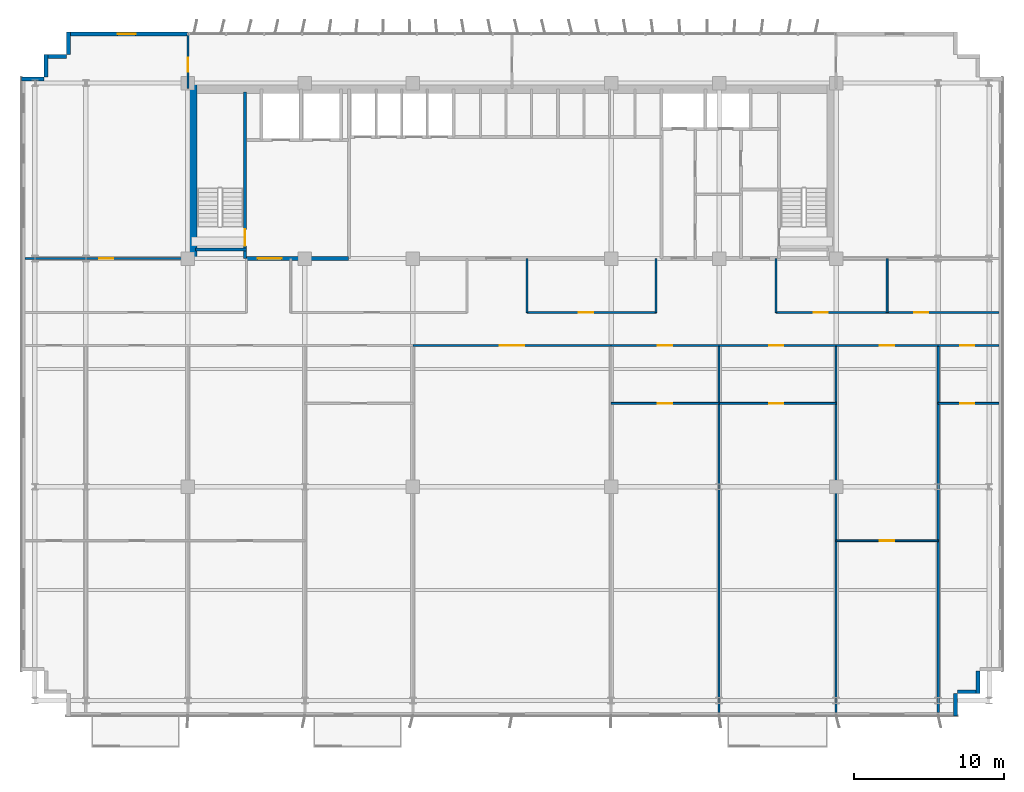
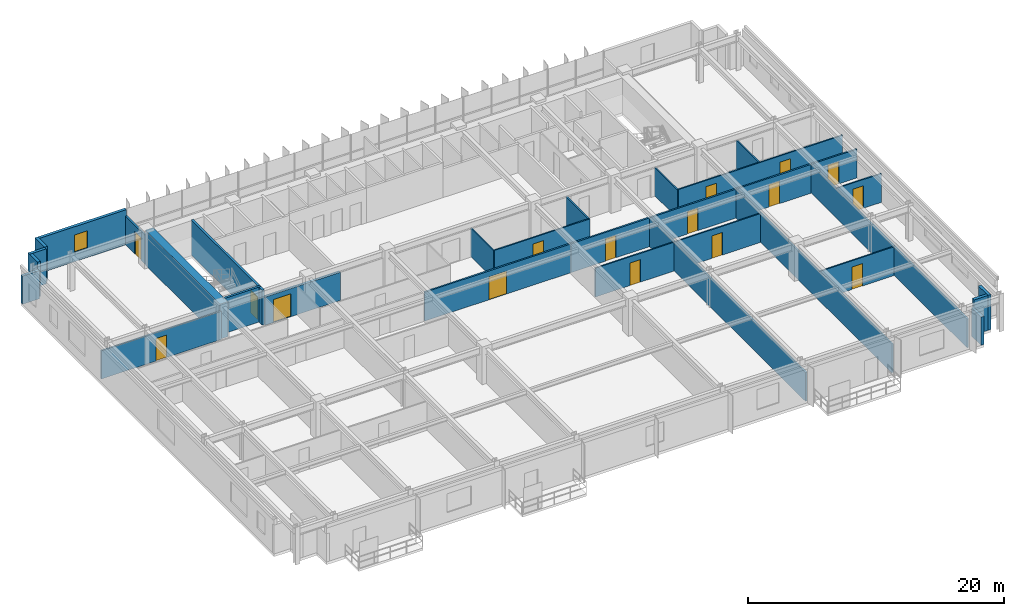
# One storey, part 16 of 21: 32 walls, 16 doors, 1 window, 17 openings.
"""IFC4 building model written with IfcOpenShell, lengths in metres."""

from ifc_helpers import new_model, si_unit, direction, frame, frame_2d, origin, place, context, subcontext, project, spatial, rectangle, extrude, source, transform, mapped, material, layer, layer_set, type_object, element, fill, save


model = new_model("IFC4")

# Units and contexts
model_context = context("Model", 3, precision=1e-05, world=origin(), true_north=direction((0.0, 1.0)))
body_context = subcontext(model_context, "Body", "Model", "MODEL_VIEW")
ifc_project = project(units=[si_unit("LENGTHUNIT", "METRE"), si_unit("AREAUNIT", "SQUARE_METRE"), si_unit("VOLUMEUNIT", "CUBIC_METRE"), si_unit("PLANEANGLEUNIT", "RADIAN"), si_unit("MASSUNIT", "GRAM", prefix="KILO")], contexts=[model_context])

# Site, building, storey
site_placement = place(None, origin())
site = spatial("IfcSite", under=ifc_project, at=site_placement, CompositionType="ELEMENT")
building_placement = place(site_placement, origin())
building = spatial("IfcBuilding", under=site, at=building_placement, Name="Trelvane Seafront Commons", CompositionType="ELEMENT")
storey_placement = place(building_placement, frame((0.0, 0.0, 41.5)))
storey = spatial("IfcBuildingStorey", under=building, at=storey_placement, Name="L10", CompositionType="ELEMENT", Elevation=41.5)

# Wall, opening, window
ifc_material_1 = material(Name="Precast concrete C40/50", Category="concrete")
ifc_layer_1 = layer(ifc_material_1, 0.260009765625, Name="ARCH-WALL-EXT260")
ifc_layer_set_1 = layer_set([ifc_layer_1], Name="Precast concrete C40/50")
wall_type_1 = type_object("IfcWallType", Name="ARCH-WALL-EXT260", PredefinedType="SOLIDWALL", material=ifc_layer_set_1)
wall_1_placement = place(storey_placement, frame((7.60009765625, 48.3701171875, 0.0), z_axis=(0.0, 0.0, 1.0), x_axis=(1.0, 0.0, 0.0)))
wall_1 = element("IfcWall", 1, at=wall_1_placement, inside=storey, type_object=wall_type_1, Name="EW-L10-NW-0150", PredefinedType="SOLIDWALL", context=body_context, shape_type="SweptSolid", body=[
    extrude(rectangle(XDim=8.0, YDim=0.260009765625, at=frame_2d((4.0, 0.0))), origin(), (0.0, 0.0, 1.0), 3.340087890625),
])
opening_1_placement = place(wall_1_placement, frame((3.30810546875, 0.0, 0.89990234375)))
opening_1 = element("IfcOpeningElement", 2, at=opening_1_placement, cuts=wall_1, Name="Opening W05", PredefinedType="OPENING", context=body_context, shape_type="SweptSolid", body=[
    extrude(rectangle(XDim=1.199951171875, YDim=1.64990234375, at=frame_2d((0.60009765625, 0.824951171875))), frame((0.0, 0.139892578125, 0.0), z_axis=(0.0, -1.0, 0.0), x_axis=(1.0, 0.0, 0.0)), (0.0, 0.0, 1.0), 0.280029296875),
])
ifc_material_2 = material(Name="Low-E coastal double glazing", Category="glass")
window_type = type_object("IfcWindowType", Name="ARCH-WIN-W05", PartitioningType="SINGLE_PANEL", PredefinedType="WINDOW", material=ifc_material_2)
shared_shape_1 = source(origin(), body_context, "Body", "SweptSolid", [
    extrude(rectangle(XDim=1.199951171875, YDim=1.64990234375, at=frame_2d((0.60009765625, 0.824951171875))), frame((0.0, 0.030029296875, 0.0), z_axis=(0.0, -1.0, 0.0), x_axis=(1.0, 0.0, 0.0)), (0.0, 0.0, 1.0), 0.06005859375),
])
window_placement = place(opening_1_placement, origin())
window = element("IfcWindow", 3, at=window_placement, inside=storey, type_object=window_type, Name="WIN-L10-00192", OverallHeight=1.64990234375, OverallWidth=1.199951171875, PartitioningType="SINGLE_PANEL", PredefinedType="WINDOW", context=body_context, shape_type="MappedRepresentation", body=[
    mapped(shared_shape_1, transform((0.0, 0.0, 0.0), x_axis=(1.0, 0.0, 0.0), y_axis=(0.0, 1.0, 0.0), z_axis=(0.0, 0.0, 1.0), scale=1.0)),
])
fill(opening_1, window)

# Walls
wall_2_placement = place(storey_placement, frame((4.5, 45.3701171875, 0.0), z_axis=(0.0, 0.0, 1.0), x_axis=(1.0, 0.0, 0.0)))
element("IfcWall", 4, at=wall_2_placement, inside=storey, type_object=wall_type_1, Name="EW-L10-00156", PredefinedType="SOLIDWALL", context=body_context, shape_type="SweptSolid", body=[
    extrude(rectangle(XDim=1.5, YDim=0.260009765625, at=frame_2d((0.75, 0.0))), origin(), (0.0, 0.0, 1.0), 2.68994140625),
])
for number, where, z_axis, x_axis, name in (
    (5, (6.1298828125, 45.5, 0.0), (0.0, 0.0, 1.0), (0.0, 1.0, 0.0), "EW-L10-00157"),
    (6, (6.0, 46.8701171875, 0.0), (0.0, 0.0, 1.0), (1.0, 0.0, 0.0), "EW-L10-00158"),
    (7, (7.6298828125, 47.0, 0.0), (0.0, 0.0, 1.0), (0.0, 1.0, 0.0), "EW-L10-00159"),
    (8, (68.27001953125, 5.89990234375, 0.0), (0.0, 0.0, 1.0), (0.0, -1.0, 0.0), "EW-L10-00166"),
    (9, (68.39990234375, 4.530029296875, 0.0), (0.0, 0.0, 1.0), (-1.0, 0.0, 0.0), "EW-L10-00167"),
):
    element("IfcWall", number, at=place(storey_placement, frame(where, z_axis=z_axis, x_axis=x_axis)), inside=storey, type_object=wall_type_1, Name=name, PredefinedType="SOLIDWALL", context=body_context, shape_type="SweptSolid", body=[
        extrude(rectangle(XDim=1.5, YDim=0.260009765625, at=frame_2d((0.75, 0.0))), origin(), (0.0, 0.0, 1.0), 3.340087890625),
    ])
wall_3_placement = place(storey_placement, frame((66.77001953125, 4.39990234375, 0.0), z_axis=(0.0, 0.0, 1.0), x_axis=(0.0, -1.0, 0.0)))
element("IfcWall", 10, at=wall_3_placement, inside=storey, type_object=wall_type_1, Name="EW-L10-00168", PredefinedType="SOLIDWALL", context=body_context, shape_type="SweptSolid", body=[
    extrude(rectangle(XDim=1.5, YDim=0.260009765625, at=frame_2d((0.75, 0.0))), origin(), (0.0, 0.0, 1.0), 2.68994140625),
])

# Wall, opening, door
ifc_material_3 = material(Name="Concrete C40/50", Category="concrete")
ifc_layer_2 = layer(ifc_material_3, 0.25, Name="ARCH-WALL-FIRE250")
ifc_layer_set_2 = layer_set([ifc_layer_2], Name="Concrete C40/50")
wall_type_2 = type_object("IfcWallType", Name="ARCH-WALL-FIRE250", PredefinedType="PARTITIONING", material=ifc_layer_set_2)
wall_4_placement = place(storey_placement, frame((19.5, 33.39990234375, 0.0), z_axis=(0.0, 0.0, 1.0), x_axis=(1.0, 0.0, 0.0)))
wall_4 = element("IfcWall", 11, at=wall_4_placement, inside=storey, type_object=wall_type_2, Name="W-L10-CS-FFL-013", PredefinedType="PARTITIONING", context=body_context, shape_type="SweptSolid", body=[
    extrude(rectangle(XDim=6.800048828125, YDim=0.25, at=frame_2d((3.39990234375, 0.0))), origin(), (0.0, 0.0, 1.0), 2.68994140625),
])
opening_2_placement = place(wall_4_placement, frame((0.75, 0.0, 0.0)))
opening_2 = element("IfcOpeningElement", 12, at=opening_2_placement, cuts=wall_4, Name="Opening FD-L10-05", PredefinedType="OPENING", context=body_context, shape_type="SweptSolid", body=[
    extrude(rectangle(XDim=1.60009765625, YDim=2.199951171875, at=frame_2d((0.800048828125, 1.10009765625))), frame((0.0, 0.135009765625, 0.0), z_axis=(0.0, -1.0, 0.0), x_axis=(1.0, 0.0, 0.0)), (0.0, 0.0, 1.0), 0.27001953125),
])
ifc_material_4 = material(Name="Powder-coated aluminium frame", Category="aluminium")
door_type_1 = type_object("IfcDoorType", Name="ARCH-DR-FD60-1600", OperationType="DOUBLE_DOOR_SINGLE_SWING", PredefinedType="DOOR", material=ifc_material_4)
shared_shape_2 = source(origin(), body_context, "Body", "SweptSolid", [
    extrude(rectangle(XDim=1.60009765625, YDim=2.199951171875, at=frame_2d((0.800048828125, 1.10009765625))), frame((0.0, 0.02490234375, 0.0), z_axis=(0.0, -1.0, 0.0), x_axis=(1.0, 0.0, 0.0)), (0.0, 0.0, 1.0), 0.050048828125),
])
door_1_placement = place(opening_2_placement, origin())
door_1 = element("IfcDoor", 13, at=door_1_placement, inside=storey, type_object=door_type_1, Name="L10 Firefighting Lift Lobby Double Fire Door", OperationType="DOUBLE_DOOR_SINGLE_SWING", OverallHeight=2.199951171875, OverallWidth=1.60009765625, PredefinedType="DOOR", context=body_context, shape_type="MappedRepresentation", body=[
    mapped(shared_shape_2, transform((0.0, 0.0, 0.0), x_axis=(1.0, 0.0, 0.0), y_axis=(0.0, 1.0, 0.0), z_axis=(0.0, 0.0, 1.0), scale=1.0)),
])
fill(opening_2, door_1)

ifc_material_5 = material(Name="Gypsum Drywall Acoustic Partition")
ifc_layer_3 = layer(ifc_material_5, 0.1201171875, Name="ARCH-WALL-PART120")
ifc_layer_set_3 = layer_set([ifc_layer_3], Name="Gypsum Drywall Acoustic Partition")
wall_type_3 = type_object("IfcWallType", Name="ARCH-WALL-PART120", PredefinedType="PARTITIONING", material=ifc_layer_set_3)
wall_5_placement = place(storey_placement, frame((38.199951171875, 29.800048828125, 0.0), z_axis=(0.0, 0.0, 1.0), x_axis=(1.0, 0.0, 0.0)))
wall_5 = element("IfcWall", 14, at=wall_5_placement, inside=storey, type_object=wall_type_3, Name="W-L10-CORR-N-M2-040", PredefinedType="PARTITIONING", context=body_context, shape_type="SweptSolid", body=[
    extrude(rectangle(XDim=8.60009765625, YDim=0.1201171875, at=frame_2d((4.300048828125, 0.0))), origin(), (0.0, 0.0, 1.0), 2.751953125),
])
opening_3_placement = place(wall_5_placement, frame((3.4619140625, 0.0, 0.0)))
opening_3 = element("IfcOpeningElement", 15, at=opening_3_placement, cuts=wall_5, Name="Opening D-L10-20", PredefinedType="OPENING", context=body_context, shape_type="SweptSolid", body=[
    extrude(rectangle(XDim=0.949951171875, YDim=2.14990234375, at=frame_2d((0.47509765625, 1.074951171875))), frame((0.0, 0.070068359375, 0.0), z_axis=(0.0, -1.0, 0.0), x_axis=(1.0, 0.0, 0.0)), (0.0, 0.0, 1.0), 0.14013671875),
])
ifc_material_6 = material(Name="Acoustic timber door leaf", Category="wood")
door_type_2 = type_object("IfcDoorType", Name="ARCH-DR-INT950", OperationType="NOTDEFINED", PredefinedType="DOOR", material=ifc_material_6)
shared_shape_3 = source(origin(), body_context, "Body", "SweptSolid", [
    extrude(rectangle(XDim=0.949951171875, YDim=2.14990234375, at=frame_2d((0.47509765625, 1.074951171875))), frame((0.0, 0.02490234375, 0.0), z_axis=(0.0, -1.0, 0.0), x_axis=(1.0, 0.0, 0.0)), (0.0, 0.0, 1.0), 0.050048828125),
])
door_2_placement = place(opening_3_placement, origin())
door_2 = element("IfcDoor", 16, at=door_2_placement, inside=storey, type_object=door_type_2, Name="L10 Door 20", OperationType="SINGLE_SWING_RIGHT", OverallHeight=2.14990234375, OverallWidth=0.949951171875, PredefinedType="DOOR", context=body_context, shape_type="MappedRepresentation", body=[
    mapped(shared_shape_3, transform((0.0, 0.0, 0.0), x_axis=(1.0, 0.0, 0.0), y_axis=(0.0, 1.0, 0.0), z_axis=(0.0, 0.0, 1.0), scale=1.0)),
])
fill(opening_3, door_2)

# Wall, openings, doors
wall_6_placement = place(storey_placement, frame((54.800048828125, 29.800048828125, 0.0), z_axis=(0.0, 0.0, 1.0), x_axis=(1.0, 0.0, 0.0)))
wall_6 = element("IfcWall", 17, at=wall_6_placement, inside=storey, type_object=wall_type_3, Name="W-L10-CORR-N-E-041", PredefinedType="PARTITIONING", context=body_context, shape_type="SweptSolid", body=[
    extrude(rectangle(XDim=14.849853515625, YDim=0.1201171875, at=frame_2d((7.4248046875, 0.0))), origin(), (0.0, 0.0, 1.0), 2.751953125),
])
opening_4_placement = place(wall_6_placement, frame((2.5, 0.0, 0.0)))
opening_4 = element("IfcOpeningElement", 18, at=opening_4_placement, cuts=wall_6, Name="Opening D-L10-21", PredefinedType="OPENING", context=body_context, shape_type="SweptSolid", body=[
    extrude(rectangle(XDim=0.949951171875, YDim=2.14990234375, at=frame_2d((0.47509765625, 1.074951171875))), frame((0.0, 0.070068359375, 0.0), z_axis=(0.0, -1.0, 0.0), x_axis=(1.0, 0.0, 0.0)), (0.0, 0.0, 1.0), 0.14013671875),
])
opening_5_placement = place(wall_6_placement, frame((9.199951171875, 0.0, 0.0)))
opening_5 = element("IfcOpeningElement", 19, at=opening_5_placement, cuts=wall_6, Name="Opening D-L10-22", PredefinedType="OPENING", context=body_context, shape_type="SweptSolid", body=[
    extrude(rectangle(XDim=0.949951171875, YDim=2.14990234375, at=frame_2d((0.47509765625, 1.074951171875))), frame((0.0, 0.070068359375, 0.0), z_axis=(0.0, -1.0, 0.0), x_axis=(1.0, 0.0, 0.0)), (0.0, 0.0, 1.0), 0.14013671875),
])
door_3_placement = place(opening_4_placement, origin())
door_3 = element("IfcDoor", 20, at=door_3_placement, inside=storey, type_object=door_type_2, Name="L10 Door 21", OperationType="SINGLE_SWING_LEFT", OverallHeight=2.14990234375, OverallWidth=0.949951171875, PredefinedType="DOOR", context=body_context, shape_type="MappedRepresentation", body=[
    mapped(shared_shape_3, transform((0.0, 0.0, 0.0), x_axis=(1.0, 0.0, 0.0), y_axis=(0.0, 1.0, 0.0), z_axis=(0.0, 0.0, 1.0), scale=1.0)),
])
fill(opening_4, door_3)
door_4_placement = place(opening_5_placement, origin())
door_4 = element("IfcDoor", 21, at=door_4_placement, inside=storey, type_object=door_type_2, Name="L10 Door 22", OperationType="SINGLE_SWING_RIGHT", OverallHeight=2.14990234375, OverallWidth=0.949951171875, PredefinedType="DOOR", context=body_context, shape_type="MappedRepresentation", body=[
    mapped(shared_shape_3, transform((0.0, 0.0, 0.0), x_axis=(1.0, 0.0, 0.0), y_axis=(0.0, 1.0, 0.0), z_axis=(0.0, 0.0, 1.0), scale=1.0)),
])
fill(opening_5, door_4)

# Walls
for number, where, z_axis, x_axis, name in (
    (22, (62.199951171875, 29.800048828125, 0.0), (0.0, 0.0, 1.0), (0.0, 1.0, 0.0), "W-L10-N-LAUN-DV-042"),
    (23, (38.199951171875, 29.800048828125, 0.0), (0.0, 0.0, 1.0), (0.0, 1.0, 0.0), "W-L10-N-SPUR-M2-046"),
    (24, (46.800048828125, 29.800048828125, 0.0), (0.0, 0.0, 1.0), (0.0, 1.0, 0.0), "W-L10-N-SPUR-E1-047"),
    (25, (54.800048828125, 29.800048828125, 0.0), (0.0, 0.0, 1.0), (0.0, 1.0, 0.0), "W-L10-N-SPUR-E2-048"),
):
    element("IfcWall", number, at=place(storey_placement, frame(where, z_axis=z_axis, x_axis=x_axis)), inside=storey, type_object=wall_type_3, Name=name, PredefinedType="PARTITIONING", context=body_context, shape_type="SweptSolid", body=[
        extrude(rectangle(XDim=3.599853515625, YDim=0.1201171875, at=frame_2d((1.7998046875, 0.0))), origin(), (0.0, 0.0, 1.0), 2.68994140625),
    ])

# Wall, opening, door
wall_7_placement = place(storey_placement, frame((43.800048828125, 23.75, 0.0), z_axis=(0.0, 0.0, 1.0), x_axis=(1.0, 0.0, 0.0)))
wall_7 = element("IfcWall", 26, at=wall_7_placement, inside=storey, type_object=wall_type_3, Name="W-L10-U6-DIV-072", PredefinedType="PARTITIONING", context=body_context, shape_type="SweptSolid", body=[
    extrude(rectangle(XDim=7.199951171875, YDim=0.1201171875, at=frame_2d((3.60009765625, 0.0))), origin(), (0.0, 0.0, 1.0), 2.751953125),
])
opening_6_placement = place(wall_7_placement, frame((3.125, 0.0, 0.0)))
opening_6 = element("IfcOpeningElement", 27, at=opening_6_placement, cuts=wall_7, Name="Opening D-L10-38", PredefinedType="OPENING", context=body_context, shape_type="SweptSolid", body=[
    extrude(rectangle(XDim=0.949951171875, YDim=2.14990234375, at=frame_2d((0.47509765625, 1.074951171875))), frame((0.0, 0.070068359375, 0.0), z_axis=(0.0, -1.0, 0.0), x_axis=(1.0, 0.0, 0.0)), (0.0, 0.0, 1.0), 0.14013671875),
])
door_5_placement = place(opening_6_placement, origin())
door_5 = element("IfcDoor", 28, at=door_5_placement, inside=storey, type_object=door_type_2, Name="L10 Door 38", OperationType="SINGLE_SWING_RIGHT", OverallHeight=2.14990234375, OverallWidth=0.949951171875, PredefinedType="DOOR", context=body_context, shape_type="MappedRepresentation", body=[
    mapped(shared_shape_3, transform((0.0, 0.0, 0.0), x_axis=(1.0, 0.0, 0.0), y_axis=(0.0, 1.0, 0.0), z_axis=(0.0, 0.0, 1.0), scale=1.0)),
])
fill(opening_6, door_5)

wall_8_placement = place(storey_placement, frame((51.0, 23.75, 0.0), z_axis=(0.0, 0.0, 1.0), x_axis=(1.0, 0.0, 0.0)))
wall_8 = element("IfcWall", 29, at=wall_8_placement, inside=storey, type_object=wall_type_3, Name="W-L10-U7-DIV-074", PredefinedType="PARTITIONING", context=body_context, shape_type="SweptSolid", body=[
    extrude(rectangle(XDim=7.800048828125, YDim=0.1201171875, at=frame_2d((3.89990234375, 0.0))), origin(), (0.0, 0.0, 1.0), 2.751953125),
])
opening_7_placement = place(wall_8_placement, frame((3.3330078125, 0.0, 0.0)))
opening_7 = element("IfcOpeningElement", 30, at=opening_7_placement, cuts=wall_8, Name="Opening D-L10-40", PredefinedType="OPENING", context=body_context, shape_type="SweptSolid", body=[
    extrude(rectangle(XDim=0.949951171875, YDim=2.14990234375, at=frame_2d((0.47509765625, 1.074951171875))), frame((0.0, 0.070068359375, 0.0), z_axis=(0.0, -1.0, 0.0), x_axis=(1.0, 0.0, 0.0)), (0.0, 0.0, 1.0), 0.14013671875),
])
door_6_placement = place(opening_7_placement, origin())
door_6 = element("IfcDoor", 31, at=door_6_placement, inside=storey, type_object=door_type_2, Name="L10 Door 40", OperationType="SINGLE_SWING_RIGHT", OverallHeight=2.14990234375, OverallWidth=0.949951171875, PredefinedType="DOOR", context=body_context, shape_type="MappedRepresentation", body=[
    mapped(shared_shape_3, transform((0.0, 0.0, 0.0), x_axis=(1.0, 0.0, 0.0), y_axis=(0.0, 1.0, 0.0), z_axis=(0.0, 0.0, 1.0), scale=1.0)),
])
fill(opening_7, door_6)

wall_9_placement = place(storey_placement, frame((58.800048828125, 14.60009765625, 0.0), z_axis=(0.0, 0.0, 1.0), x_axis=(1.0, 0.0, 0.0)))
wall_9 = element("IfcWall", 32, at=wall_9_placement, inside=storey, type_object=wall_type_3, Name="W-L10-U8-DIV-076", PredefinedType="PARTITIONING", context=body_context, shape_type="SweptSolid", body=[
    extrude(rectangle(XDim=6.800048828125, YDim=0.1201171875, at=frame_2d((3.39990234375, 0.0))), origin(), (0.0, 0.0, 1.0), 2.751953125),
])
opening_8_placement = place(wall_9_placement, frame((2.925048828125, 0.0, 0.0)))
opening_8 = element("IfcOpeningElement", 33, at=opening_8_placement, cuts=wall_9, Name="Opening D-L10-42", PredefinedType="OPENING", context=body_context, shape_type="SweptSolid", body=[
    extrude(rectangle(XDim=0.949951171875, YDim=2.14990234375, at=frame_2d((0.47509765625, 1.074951171875))), frame((0.0, 0.070068359375, 0.0), z_axis=(0.0, -1.0, 0.0), x_axis=(1.0, 0.0, 0.0)), (0.0, 0.0, 1.0), 0.14013671875),
])
door_7_placement = place(opening_8_placement, origin())
door_7 = element("IfcDoor", 34, at=door_7_placement, inside=storey, type_object=door_type_2, Name="L10 Door 42", OperationType="SINGLE_SWING_RIGHT", OverallHeight=2.14990234375, OverallWidth=0.949951171875, PredefinedType="DOOR", context=body_context, shape_type="MappedRepresentation", body=[
    mapped(shared_shape_3, transform((0.0, 0.0, 0.0), x_axis=(1.0, 0.0, 0.0), y_axis=(0.0, 1.0, 0.0), z_axis=(0.0, 0.0, 1.0), scale=1.0)),
])
fill(opening_8, door_7)

wall_10_placement = place(storey_placement, frame((65.60009765625, 23.75, 0.0), z_axis=(0.0, 0.0, 1.0), x_axis=(1.0, 0.0, 0.0)))
wall_10 = element("IfcWall", 35, at=wall_10_placement, inside=storey, type_object=wall_type_3, Name="W-L10-U9-DIV-078", PredefinedType="PARTITIONING", context=body_context, shape_type="SweptSolid", body=[
    extrude(rectangle(XDim=4.054931640625, YDim=0.1201171875, at=frame_2d((2.02734375, 0.0))), origin(), (0.0, 0.0, 1.0), 2.751953125),
])
opening_9_placement = place(wall_10_placement, frame((1.4619140625, 0.0, 0.0)))
opening_9 = element("IfcOpeningElement", 36, at=opening_9_placement, cuts=wall_10, Name="Opening D-L10-44", PredefinedType="OPENING", context=body_context, shape_type="SweptSolid", body=[
    extrude(rectangle(XDim=0.949951171875, YDim=2.14990234375, at=frame_2d((0.47509765625, 1.074951171875))), frame((0.0, 0.070068359375, 0.0), z_axis=(0.0, -1.0, 0.0), x_axis=(1.0, 0.0, 0.0)), (0.0, 0.0, 1.0), 0.14013671875),
])
door_8_placement = place(opening_9_placement, origin())
door_8 = element("IfcDoor", 37, at=door_8_placement, inside=storey, type_object=door_type_2, Name="L10 Door 44", OperationType="SINGLE_SWING_RIGHT", OverallHeight=2.14990234375, OverallWidth=0.949951171875, PredefinedType="DOOR", context=body_context, shape_type="MappedRepresentation", body=[
    mapped(shared_shape_3, transform((0.0, 0.0, 0.0), x_axis=(1.0, 0.0, 0.0), y_axis=(0.0, 1.0, 0.0), z_axis=(0.0, 0.0, 1.0), scale=1.0)),
])
fill(opening_9, door_8)

ifc_layer_4 = layer(ifc_material_5, 0.14990234375, Name="ARCH-WALL-PART150")
ifc_layer_set_4 = layer_set([ifc_layer_4], Name="Gypsum Drywall Acoustic Partition")
wall_type_4 = type_object("IfcWallType", Name="ARCH-WALL-PART150", PredefinedType="PARTITIONING", material=ifc_layer_set_4)
wall_11_placement = place(storey_placement, frame((4.75, 33.39990234375, 0.0), z_axis=(0.0, 0.0, 1.0), x_axis=(1.0, 0.0, 0.0)))
wall_11 = element("IfcWall", 38, at=wall_11_placement, inside=storey, type_object=wall_type_4, Name="W-L10-NW-ENT-049", PredefinedType="PARTITIONING", context=body_context, shape_type="SweptSolid", body=[
    extrude(rectangle(XDim=10.85009765625, YDim=0.14990234375, at=frame_2d((5.425048828125, 0.0))), origin(), (0.0, 0.0, 1.0), 2.68994140625),
])
opening_10_placement = place(wall_11_placement, frame((4.93994140625, 0.0, 0.0)))
opening_10 = element("IfcOpeningElement", 39, at=opening_10_placement, cuts=wall_11, Name="Opening FD-L10-23", PredefinedType="OPENING", context=body_context, shape_type="SweptSolid", body=[
    extrude(rectangle(XDim=0.949951171875, YDim=2.14990234375, at=frame_2d((0.47509765625, 1.074951171875))), frame((0.0, 0.0849609375, 0.0), z_axis=(0.0, -1.0, 0.0), x_axis=(1.0, 0.0, 0.0)), (0.0, 0.0, 1.0), 0.169921875),
])
door_type_3 = type_object("IfcDoorType", Name="ARCH-DR-FD60-950", OperationType="NOTDEFINED", PredefinedType="DOOR", material=ifc_material_4)
door_9_placement = place(opening_10_placement, origin())
door_9 = element("IfcDoor", 40, at=door_9_placement, inside=storey, type_object=door_type_3, Name="L10 NW Suite Entrance Door", OperationType="SINGLE_SWING_LEFT", OverallHeight=2.14990234375, OverallWidth=0.949951171875, PredefinedType="DOOR", context=body_context, shape_type="MappedRepresentation", body=[
    mapped(shared_shape_3, transform((0.0, 0.0, 0.0), x_axis=(1.0, 0.0, 0.0), y_axis=(0.0, 1.0, 0.0), z_axis=(0.0, 0.0, 1.0), scale=1.0)),
])
fill(opening_10, door_9)

wall_12_placement = place(storey_placement, frame((15.60009765625, 44.75, 0.0), z_axis=(0.0, 0.0, 1.0), x_axis=(0.0, 1.0, 0.0)))
wall_12 = element("IfcWall", 41, at=wall_12_placement, inside=storey, type_object=wall_type_4, Name="W-L10-N-LINK-W-052", PredefinedType="PARTITIONING", context=body_context, shape_type="SweptSolid", body=[
    extrude(rectangle(XDim=3.610107421875, YDim=0.14990234375, at=frame_2d((1.80517578125, 0.0))), origin(), (0.0, 0.0, 1.0), 2.751953125),
])
opening_11_placement = place(wall_12_placement, frame((1.10009765625, 0.0, 0.0)))
opening_11 = element("IfcOpeningElement", 42, at=opening_11_placement, cuts=wall_12, Name="Opening FD-L10-26", PredefinedType="OPENING", context=body_context, shape_type="SweptSolid", body=[
    extrude(rectangle(XDim=0.949951171875, YDim=2.14990234375, at=frame_2d((0.47509765625, 1.074951171875))), frame((0.0, 0.0849609375, 0.0), z_axis=(0.0, -1.0, 0.0), x_axis=(1.0, 0.0, 0.0)), (0.0, 0.0, 1.0), 0.169921875),
])
door_10_placement = place(opening_11_placement, origin())
door_10 = element("IfcDoor", 43, at=door_10_placement, inside=storey, type_object=door_type_3, Name="L10 Door 26", OperationType="SINGLE_SWING_RIGHT", OverallHeight=2.14990234375, OverallWidth=0.949951171875, PredefinedType="DOOR", context=body_context, shape_type="MappedRepresentation", body=[
    mapped(shared_shape_3, transform((0.0, 0.0, 0.0), x_axis=(1.0, 0.0, 0.0), y_axis=(0.0, 1.0, 0.0), z_axis=(0.0, 0.0, 1.0), scale=1.0)),
])
fill(opening_11, door_10)

# Walls
for number, where, z_axis, x_axis, name in (
    (44, (51.0, 3.14501953125, 0.0), (0.0, 0.0, 1.0), (0.0, 1.0, 0.0), "W-L10-PW-6-059"),
    (45, (58.800048828125, 3.14501953125, 0.0), (0.0, 0.0, 1.0), (0.0, 1.0, 0.0), "W-L10-PW-7-060"),
    (46, (65.60009765625, 3.14501953125, 0.0), (0.0, 0.0, 1.0), (0.0, 1.0, 0.0), "W-L10-PW-8-061"),
):
    element("IfcWall", number, at=place(storey_placement, frame(where, z_axis=z_axis, x_axis=x_axis)), inside=storey, type_object=wall_type_4, Name=name, PredefinedType="PARTITIONING", context=body_context, shape_type="SweptSolid", body=[
        extrude(rectangle(XDim=24.455078125, YDim=0.14990234375, at=frame_2d((12.2275390625, 0.0))), origin(), (0.0, 0.0, 1.0), 2.751953125),
    ])

# Wall, opening, door
wall_13_placement = place(storey_placement, frame((30.60009765625, 27.60009765625, 0.0), z_axis=(0.0, 0.0, 1.0), x_axis=(1.0, 0.0, 0.0)))
wall_13 = element("IfcWall", 47, at=wall_13_placement, inside=storey, type_object=wall_type_4, Name="W-L10-CS-BAY-5-070", PredefinedType="PARTITIONING", context=body_context, shape_type="SweptSolid", body=[
    extrude(rectangle(XDim=13.199951171875, YDim=0.14990234375, at=frame_2d((6.60009765625, 0.0))), origin(), (0.0, 0.0, 1.0), 2.751953125),
])
opening_12_placement = place(wall_13_placement, frame((5.800048828125, 0.0, 0.0)))
opening_12 = element("IfcOpeningElement", 48, at=opening_12_placement, cuts=wall_13, Name="Opening D-L10-36", PredefinedType="OPENING", context=body_context, shape_type="SweptSolid", body=[
    extrude(rectangle(XDim=1.60009765625, YDim=2.199951171875, at=frame_2d((0.800048828125, 1.10009765625))), frame((0.0, 0.0849609375, 0.0), z_axis=(0.0, -1.0, 0.0), x_axis=(1.0, 0.0, 0.0)), (0.0, 0.0, 1.0), 0.169921875),
])
door_type_4 = type_object("IfcDoorType", Name="ARCH-DR-GLZ1600", OperationType="DOUBLE_DOOR_SINGLE_SWING", PredefinedType="DOOR", material=ifc_material_6)
door_11_placement = place(opening_12_placement, origin())
door_11 = element("IfcDoor", 49, at=door_11_placement, inside=storey, type_object=door_type_4, Name="L10 Commons Lounge 05 Door", OperationType="DOUBLE_DOOR_SINGLE_SWING", OverallHeight=2.199951171875, OverallWidth=1.60009765625, PredefinedType="DOOR", context=body_context, shape_type="MappedRepresentation", body=[
    mapped(shared_shape_2, transform((0.0, 0.0, 0.0), x_axis=(1.0, 0.0, 0.0), y_axis=(0.0, 1.0, 0.0), z_axis=(0.0, 0.0, 1.0), scale=1.0)),
])
fill(opening_12, door_11)

wall_14_placement = place(storey_placement, frame((43.800048828125, 27.60009765625, 0.0), z_axis=(0.0, 0.0, 1.0), x_axis=(1.0, 0.0, 0.0)))
wall_14 = element("IfcWall", 50, at=wall_14_placement, inside=storey, type_object=wall_type_4, Name="W-L10-CS-BAY-6-071", PredefinedType="PARTITIONING", context=body_context, shape_type="SweptSolid", body=[
    extrude(rectangle(XDim=7.199951171875, YDim=0.14990234375, at=frame_2d((3.60009765625, 0.0))), origin(), (0.0, 0.0, 1.0), 2.751953125),
])
opening_13_placement = place(wall_14_placement, frame((3.125, 0.0, 0.0)))
opening_13 = element("IfcOpeningElement", 51, at=opening_13_placement, cuts=wall_14, Name="Opening FD-L10-37", PredefinedType="OPENING", context=body_context, shape_type="SweptSolid", body=[
    extrude(rectangle(XDim=0.949951171875, YDim=2.14990234375, at=frame_2d((0.47509765625, 1.074951171875))), frame((0.0, 0.0849609375, 0.0), z_axis=(0.0, -1.0, 0.0), x_axis=(1.0, 0.0, 0.0)), (0.0, 0.0, 1.0), 0.169921875),
])
door_12_placement = place(opening_13_placement, origin())
door_12 = element("IfcDoor", 52, at=door_12_placement, inside=storey, type_object=door_type_3, Name="L10 Bay 06 Entrance Door", OperationType="SINGLE_SWING_LEFT", OverallHeight=2.14990234375, OverallWidth=0.949951171875, PredefinedType="DOOR", context=body_context, shape_type="MappedRepresentation", body=[
    mapped(shared_shape_3, transform((0.0, 0.0, 0.0), x_axis=(1.0, 0.0, 0.0), y_axis=(0.0, 1.0, 0.0), z_axis=(0.0, 0.0, 1.0), scale=1.0)),
])
fill(opening_13, door_12)

wall_15_placement = place(storey_placement, frame((51.0, 27.60009765625, 0.0), z_axis=(0.0, 0.0, 1.0), x_axis=(1.0, 0.0, 0.0)))
wall_15 = element("IfcWall", 53, at=wall_15_placement, inside=storey, type_object=wall_type_4, Name="W-L10-CS-BAY-7-073", PredefinedType="PARTITIONING", context=body_context, shape_type="SweptSolid", body=[
    extrude(rectangle(XDim=7.800048828125, YDim=0.14990234375, at=frame_2d((3.89990234375, 0.0))), origin(), (0.0, 0.0, 1.0), 2.751953125),
])
opening_14_placement = place(wall_15_placement, frame((3.3330078125, 0.0, 0.0)))
opening_14 = element("IfcOpeningElement", 54, at=opening_14_placement, cuts=wall_15, Name="Opening FD-L10-39", PredefinedType="OPENING", context=body_context, shape_type="SweptSolid", body=[
    extrude(rectangle(XDim=0.949951171875, YDim=2.14990234375, at=frame_2d((0.47509765625, 1.074951171875))), frame((0.0, 0.0849609375, 0.0), z_axis=(0.0, -1.0, 0.0), x_axis=(1.0, 0.0, 0.0)), (0.0, 0.0, 1.0), 0.169921875),
])
door_13_placement = place(opening_14_placement, origin())
door_13 = element("IfcDoor", 55, at=door_13_placement, inside=storey, type_object=door_type_3, Name="L10 Bay 07 Entrance Door", OperationType="SINGLE_SWING_LEFT", OverallHeight=2.14990234375, OverallWidth=0.949951171875, PredefinedType="DOOR", context=body_context, shape_type="MappedRepresentation", body=[
    mapped(shared_shape_3, transform((0.0, 0.0, 0.0), x_axis=(1.0, 0.0, 0.0), y_axis=(0.0, 1.0, 0.0), z_axis=(0.0, 0.0, 1.0), scale=1.0)),
])
fill(opening_14, door_13)

wall_16_placement = place(storey_placement, frame((58.800048828125, 27.60009765625, 0.0), z_axis=(0.0, 0.0, 1.0), x_axis=(1.0, 0.0, 0.0)))
wall_16 = element("IfcWall", 56, at=wall_16_placement, inside=storey, type_object=wall_type_4, Name="W-L10-CS-BAY-8-075", PredefinedType="PARTITIONING", context=body_context, shape_type="SweptSolid", body=[
    extrude(rectangle(XDim=6.800048828125, YDim=0.14990234375, at=frame_2d((3.39990234375, 0.0))), origin(), (0.0, 0.0, 1.0), 2.751953125),
])
opening_15_placement = place(wall_16_placement, frame((2.925048828125, 0.0, 0.0)))
opening_15 = element("IfcOpeningElement", 57, at=opening_15_placement, cuts=wall_16, Name="Opening FD-L10-41", PredefinedType="OPENING", context=body_context, shape_type="SweptSolid", body=[
    extrude(rectangle(XDim=0.949951171875, YDim=2.14990234375, at=frame_2d((0.47509765625, 1.074951171875))), frame((0.0, 0.0849609375, 0.0), z_axis=(0.0, -1.0, 0.0), x_axis=(1.0, 0.0, 0.0)), (0.0, 0.0, 1.0), 0.169921875),
])
door_14_placement = place(opening_15_placement, origin())
door_14 = element("IfcDoor", 58, at=door_14_placement, inside=storey, type_object=door_type_3, Name="L10 Bay 08 Entrance Door", OperationType="SINGLE_SWING_LEFT", OverallHeight=2.14990234375, OverallWidth=0.949951171875, PredefinedType="DOOR", context=body_context, shape_type="MappedRepresentation", body=[
    mapped(shared_shape_3, transform((0.0, 0.0, 0.0), x_axis=(1.0, 0.0, 0.0), y_axis=(0.0, 1.0, 0.0), z_axis=(0.0, 0.0, 1.0), scale=1.0)),
])
fill(opening_15, door_14)

wall_17_placement = place(storey_placement, frame((65.60009765625, 27.60009765625, 0.0), z_axis=(0.0, 0.0, 1.0), x_axis=(1.0, 0.0, 0.0)))
wall_17 = element("IfcWall", 59, at=wall_17_placement, inside=storey, type_object=wall_type_4, Name="W-L10-CS-BAY-9-077", PredefinedType="PARTITIONING", context=body_context, shape_type="SweptSolid", body=[
    extrude(rectangle(XDim=4.054931640625, YDim=0.14990234375, at=frame_2d((2.02734375, 0.0))), origin(), (0.0, 0.0, 1.0), 2.751953125),
])
opening_16_placement = place(wall_17_placement, frame((1.4619140625, 0.0, 0.0)))
opening_16 = element("IfcOpeningElement", 60, at=opening_16_placement, cuts=wall_17, Name="Opening FD-L10-43", PredefinedType="OPENING", context=body_context, shape_type="SweptSolid", body=[
    extrude(rectangle(XDim=0.949951171875, YDim=2.14990234375, at=frame_2d((0.47509765625, 1.074951171875))), frame((0.0, 0.0849609375, 0.0), z_axis=(0.0, -1.0, 0.0), x_axis=(1.0, 0.0, 0.0)), (0.0, 0.0, 1.0), 0.169921875),
])
door_15_placement = place(opening_16_placement, origin())
door_15 = element("IfcDoor", 61, at=door_15_placement, inside=storey, type_object=door_type_3, Name="L10 Bay 09 Entrance Door", OperationType="SINGLE_SWING_LEFT", OverallHeight=2.14990234375, OverallWidth=0.949951171875, PredefinedType="DOOR", context=body_context, shape_type="MappedRepresentation", body=[
    mapped(shared_shape_3, transform((0.0, 0.0, 0.0), x_axis=(1.0, 0.0, 0.0), y_axis=(0.0, 1.0, 0.0), z_axis=(0.0, 0.0, 1.0), scale=1.0)),
])
fill(opening_16, door_15)

# Walls
ifc_material_7 = material(Name="Concrete C60/75", Category="concrete")
ifc_layer_5 = layer(ifc_material_7, 0.699951171875, Name="STR-WALL-CORE700")
ifc_layer_set_5 = layer_set([ifc_layer_5], Name="Concrete C60/75")
wall_type_5 = type_object("IfcWallType", Name="STR-WALL-CORE700", PredefinedType="SHEAR", material=ifc_layer_set_5)
wall_18_placement = place(storey_placement, frame((15.85009765625, 33.39990234375, 0.0), z_axis=(0.0, 0.0, 1.0), x_axis=(0.0, 1.0, 0.0)))
element("IfcWall", 62, at=wall_18_placement, inside=storey, type_object=wall_type_5, Name="W-L10-CW-END-002", PredefinedType="SHEAR", context=body_context, shape_type="SweptSolid", body=[
    extrude(rectangle(XDim=11.7001953125, YDim=0.699951171875, at=frame_2d((5.85009765625, 0.0))), origin(), (0.0, 0.0, 1.0), 3.340087890625),
])
ifc_material_8 = material(Name="Concrete C50/60", Category="concrete")
ifc_layer_6 = layer(ifc_material_8, 0.199951171875, Name="STR-WALL-STAIR200")
ifc_layer_set_6 = layer_set([ifc_layer_6], Name="Concrete C50/60")
wall_type_6 = type_object("IfcWallType", Name="STR-WALL-STAIR200", PredefinedType="SHEAR", material=ifc_layer_set_6)
wall_19_placement = place(storey_placement, frame((16.10009765625, 34.0, 0.0), z_axis=(0.0, 0.0, 1.0), x_axis=(1.0, 0.0, 0.0)))
element("IfcWall", 63, at=wall_19_placement, inside=storey, type_object=wall_type_6, Name="W-L10-ST1-S-004", PredefinedType="SHEAR", context=body_context, shape_type="SweptSolid", body=[
    extrude(rectangle(XDim=3.39990234375, YDim=0.199951171875, at=frame_2d((1.699951171875, 0.0))), origin(), (0.0, 0.0, 1.0), 3.340087890625),
])

# Wall, opening, door
wall_20_placement = place(storey_placement, frame((19.39990234375, 33.39990234375, 0.0), z_axis=(0.0, 0.0, 1.0), x_axis=(0.0, 1.0, 0.0)))
wall_20 = element("IfcWall", 64, at=wall_20_placement, inside=storey, type_object=wall_type_6, Name="W-L10-ST1-E-005", PredefinedType="SHEAR", context=body_context, shape_type="SweptSolid", body=[
    extrude(rectangle(XDim=11.10009765625, YDim=0.199951171875, at=frame_2d((5.550048828125, 0.0))), origin(), (0.0, 0.0, 1.0), 3.340087890625),
])
opening_17_placement = place(wall_20_placement, frame((0.85009765625, 0.0, 0.0)))
opening_17 = element("IfcOpeningElement", 65, at=opening_17_placement, cuts=wall_20, Name="Opening ST-D1-L10", PredefinedType="OPENING", context=body_context, shape_type="SweptSolid", body=[
    extrude(rectangle(XDim=1.10009765625, YDim=2.14990234375, at=frame_2d((0.550048828125, 1.074951171875))), frame((0.0, 0.10986328125, 0.0), z_axis=(0.0, -1.0, 0.0), x_axis=(1.0, 0.0, 0.0)), (0.0, 0.0, 1.0), 0.219970703125),
])
door_type_5 = type_object("IfcDoorType", Name="ARCH-DR-FD90-1100", OperationType="NOTDEFINED", PredefinedType="DOOR", material=ifc_material_4)
shared_shape_4 = source(origin(), body_context, "Body", "SweptSolid", [
    extrude(rectangle(XDim=1.10009765625, YDim=2.14990234375, at=frame_2d((0.550048828125, 1.074951171875))), frame((0.0, 0.02490234375, 0.0), z_axis=(0.0, -1.0, 0.0), x_axis=(1.0, 0.0, 0.0)), (0.0, 0.0, 1.0), 0.050048828125),
])
door_16_placement = place(opening_17_placement, origin())
door_16 = element("IfcDoor", 66, at=door_16_placement, inside=storey, type_object=door_type_5, Name="L10 Stair ST-1 Lobby Fire Door", OperationType="SINGLE_SWING_LEFT", OverallHeight=2.14990234375, OverallWidth=1.10009765625, PredefinedType="DOOR", context=body_context, shape_type="MappedRepresentation", body=[
    mapped(shared_shape_4, transform((0.0, 0.0, 0.0), x_axis=(1.0, 0.0, 0.0), y_axis=(0.0, 1.0, 0.0), z_axis=(0.0, 0.0, 1.0), scale=1.0)),
])
fill(opening_17, door_16)

save(model, "model.ifc")
